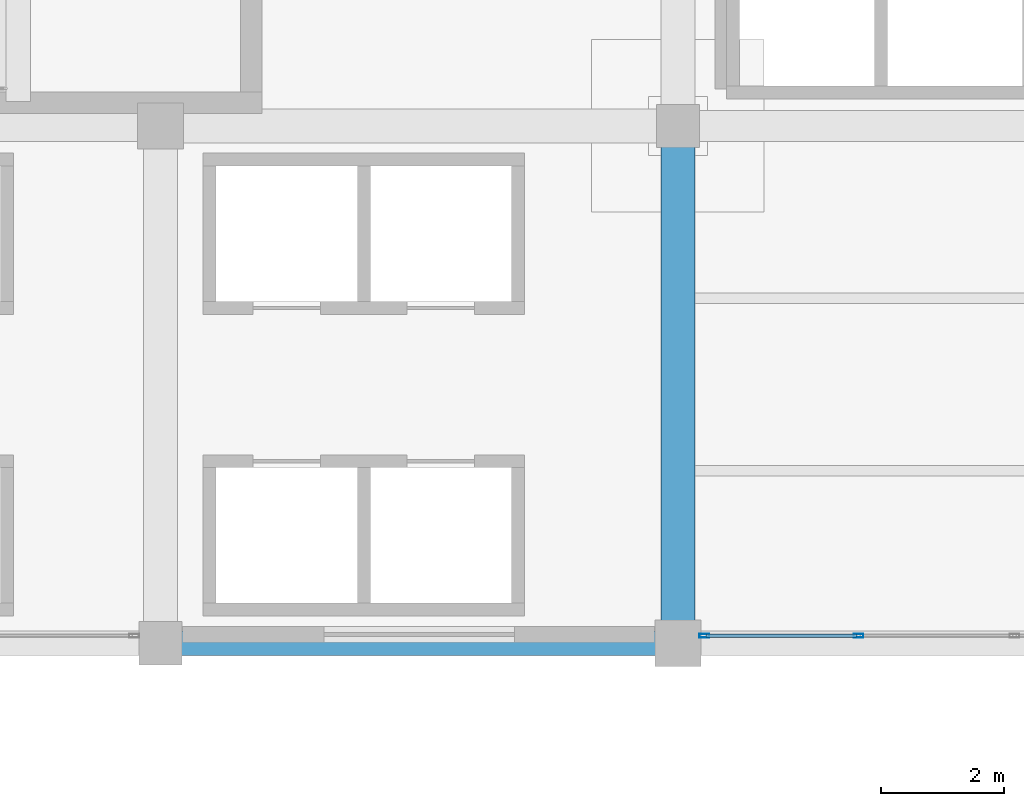
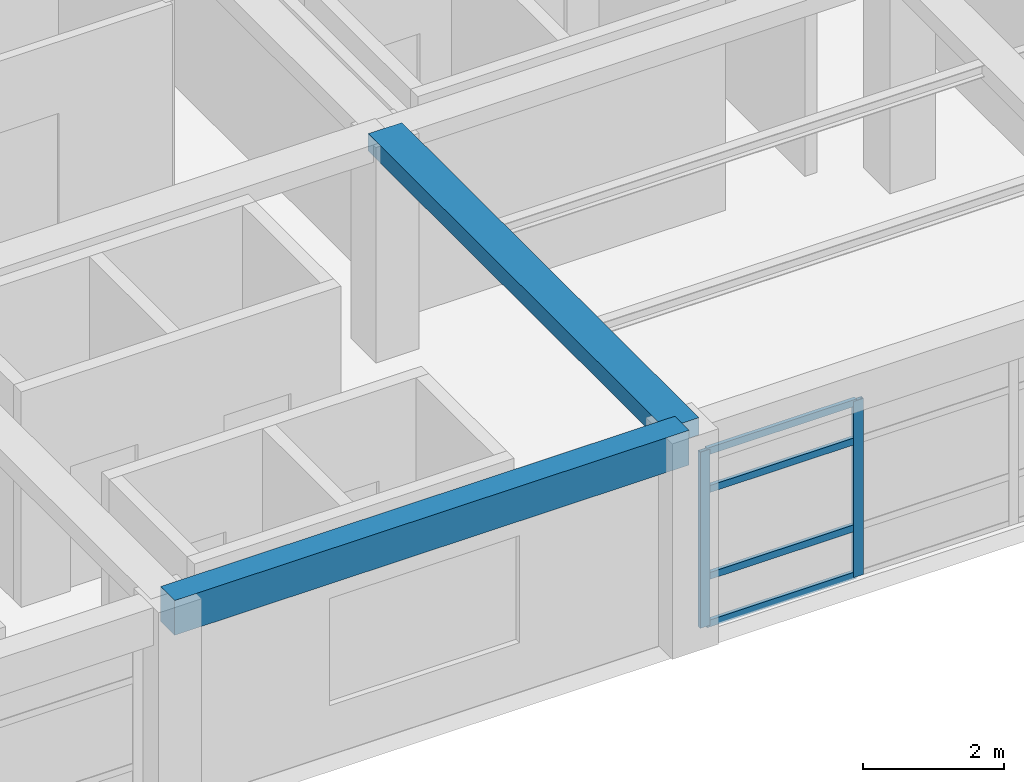
# One storey, part 12 of 35: 6 members, 2 beams, 1 element without a shape of its own.
"""IFC4 building model written with IfcOpenShell, lengths in metres."""

from ifc_helpers import new_model, si_unit, direction, frame, origin, origin_2d, place, context, subcontext, project, spatial, rectangle, hollow_rectangle, extrude, material, material_profile, profile_set, type_object, element, aggregate, save


model = new_model("IFC4")

# Units and contexts
model_context = context("Model", 3, precision=1e-05, world=origin(), true_north=direction((0.0, 1.0)))
body_context = subcontext(model_context, "Body", "Model", "MODEL_VIEW")
ifc_project = project(units=[si_unit("LENGTHUNIT", "METRE"), si_unit("AREAUNIT", "SQUARE_METRE"), si_unit("VOLUMEUNIT", "CUBIC_METRE"), si_unit("PLANEANGLEUNIT", "RADIAN"), si_unit("MASSUNIT", "GRAM", prefix="KILO")], contexts=[model_context])

# Site, building, storey
site_placement = place(None, origin())
site = spatial("IfcSite", under=ifc_project, at=site_placement, CompositionType="ELEMENT")
building_placement = place(site_placement, origin())
building = spatial("IfcBuilding", under=site, at=building_placement, Name="Almacenes y Pasaje Nevantli", CompositionType="ELEMENT")
storey_placement = place(building_placement, frame((0.0, 0.0, 26.699951171875)))
storey = spatial("IfcBuildingStorey", under=building, at=storey_placement, Name="L06", CompositionType="ELEMENT", Elevation=26.699951171875)

# Beams
ifc_material_1 = material(Name="Concrete C35/45", Category="concrete")
ifc_material_profile_1 = material_profile(ifc_material_1, rectangle(XDim=0.39990234375, YDim=0.60009765625, at=origin_2d()), Name="RC-BM-400x600")
ifc_profile_set_1 = profile_set([ifc_material_profile_1], Name="Concrete C35/45")
beam_type_1 = type_object("IfcBeamType", Name="BM-RC-400x600", PredefinedType="SPANDREL", material=ifc_profile_set_1)
beam_1_placement = place(storey_placement, frame((126.0, 67.199951171875, 3.420166015625), z_axis=(1.0, 0.0, 0.0), x_axis=(0.0, 1.0, 0.0)))
element("IfcBeam", 1, at=beam_1_placement, inside=storey, type_object=beam_type_1, Name="L06 East-West Reinforced Concrete Beam #3575", PredefinedType="SPANDREL", context=body_context, shape_type="SweptSolid", body=[
    extrude(rectangle(XDim=0.39990234375, YDim=0.60009765625, at=origin_2d()), origin(), (0.0, 0.0, 1.0), 8.39990234375),
])
ifc_material_2 = material(Name="Concrete C35/45", Category="concrete")
ifc_material_profile_2 = material_profile(ifc_material_2, rectangle(XDim=0.550048828125, YDim=0.300048828125, at=origin_2d()), Name="RC-BM-550x300")
ifc_profile_set_2 = profile_set([ifc_material_profile_2], Name="Concrete C35/45")
beam_type_2 = type_object("IfcBeamType", Name="BM-RC-550x300", PredefinedType="BEAM", material=ifc_profile_set_2)
beam_2_placement = place(storey_placement, frame((134.39990234375, 67.199951171875, 3.570068359375), z_axis=(0.0, 1.0, 0.0), x_axis=(-1.0, 0.0, 0.0)))
element("IfcBeam", 2, at=beam_2_placement, inside=storey, type_object=beam_type_2, Name="L06 North-South Reinforced Concrete Beam #3614", PredefinedType="BEAM", context=body_context, shape_type="SweptSolid", body=[
    extrude(rectangle(XDim=0.550048828125, YDim=0.300048828125, at=origin_2d()), origin(), (0.0, 0.0, 1.0), 8.400146484375),
])

# Curtain wall, members
ifc_material_3 = material(Name="Thermally Broken Aluminium and Low-E Glass", Category="aluminium")
curtain_wall_type = type_object("IfcCurtainWallType", Name="CW-UNIT-TOWER", PredefinedType="USERDEFINED", material=ifc_material_3)
curtain_wall_placement = place(storey_placement, origin())
curtain_wall = element("IfcCurtainWall", 3, at=curtain_wall_placement, inside=storey, type_object=curtain_wall_type, Name="L06 Tower South Unitized Curtain Wall Bay 17", ObjectType="UNITIZED CURTAIN WALL", PredefinedType="USERDEFINED")
ifc_material_4 = material(Name="Thermally Broken Anodized Aluminium", Category="aluminium")
ifc_material_profile_3 = material_profile(ifc_material_4, hollow_rectangle(XDim=0.06005859375, YDim=0.159912109375, WallThickness=0.00390625, at=origin_2d()), Name="ALU-MUL-60x160")
ifc_profile_set_3 = profile_set([ifc_material_profile_3], Name="Thermally Broken Anodized Aluminium")
member_type_1 = type_object("IfcMemberType", Name="CW-MUL-180", PredefinedType="MULLION", material=ifc_profile_set_3)
member_1_placement = place(storey_placement, frame((134.830078125, 67.320068359375, 0.0), z_axis=(0.0, 0.0, 1.0), x_axis=(0.0, 1.0, 0.0)))
member_1 = element("IfcMember", 4, at=member_1_placement, type_object=member_type_1, Name="CW-L06-105 mullion 1", PredefinedType="MULLION", context=body_context, shape_type="SweptSolid", body=[
    extrude(hollow_rectangle(XDim=0.06005859375, YDim=0.159912109375, WallThickness=0.00390625, at=origin_2d()), origin(), (0.0, 0.0, 1.0), 3.0400390625),
])
member_2_placement = place(storey_placement, frame((137.333251953125, 67.320068359375, 0.0), z_axis=(0.0, 0.0, 1.0), x_axis=(0.0, 1.0, 0.0)))
member_2 = element("IfcMember", 5, at=member_2_placement, type_object=member_type_1, Name="CW-L06-105 mullion 2", PredefinedType="MULLION", context=body_context, shape_type="SweptSolid", body=[
    extrude(hollow_rectangle(XDim=0.06005859375, YDim=0.159912109375, WallThickness=0.00390625, at=origin_2d()), origin(), (0.0, 0.0, 1.0), 3.0400390625),
])
ifc_material_5 = material(Name="Thermally Broken Anodized Aluminium", Category="aluminium")
ifc_material_profile_4 = material_profile(ifc_material_5, hollow_rectangle(XDim=0.06005859375, YDim=0.1201171875, WallThickness=0.00341796875, at=origin_2d()), Name="ALU-TRN-60x120")
ifc_profile_set_4 = profile_set([ifc_material_profile_4], Name="Thermally Broken Anodized Aluminium")
member_type_2 = type_object("IfcMemberType", Name="CW-TRN-130", PredefinedType="USERDEFINED", material=ifc_profile_set_4)
member_3_placement = place(storey_placement, frame((134.860107421875, 67.320068359375, 0.030029296875), z_axis=(1.0, 0.0, 0.0), x_axis=(0.0, 1.0, 0.0)))
member_3 = element("IfcMember", 6, at=member_3_placement, type_object=member_type_2, Name="CW-L06-105 transom 1.1", ObjectType="TRANSOM", PredefinedType="USERDEFINED", context=body_context, shape_type="SweptSolid", body=[
    extrude(hollow_rectangle(XDim=0.06005859375, YDim=0.1201171875, WallThickness=0.00341796875, at=origin_2d()), origin(), (0.0, 0.0, 1.0), 2.443115234375),
])
member_4_placement = place(storey_placement, frame((134.860107421875, 67.320068359375, 0.85009765625), z_axis=(1.0, 0.0, 0.0), x_axis=(0.0, 1.0, 0.0)))
member_4 = element("IfcMember", 7, at=member_4_placement, type_object=member_type_2, Name="CW-L06-105 transom 1.2", ObjectType="TRANSOM", PredefinedType="USERDEFINED", context=body_context, shape_type="SweptSolid", body=[
    extrude(hollow_rectangle(XDim=0.06005859375, YDim=0.1201171875, WallThickness=0.00341796875, at=origin_2d()), origin(), (0.0, 0.0, 1.0), 2.443115234375),
])
member_5_placement = place(storey_placement, frame((134.860107421875, 67.320068359375, 2.35009765625), z_axis=(1.0, 0.0, 0.0), x_axis=(0.0, 1.0, 0.0)))
member_5 = element("IfcMember", 8, at=member_5_placement, type_object=member_type_2, Name="CW-L06-105 transom 1.3", ObjectType="TRANSOM", PredefinedType="USERDEFINED", context=body_context, shape_type="SweptSolid", body=[
    extrude(hollow_rectangle(XDim=0.06005859375, YDim=0.1201171875, WallThickness=0.00341796875, at=origin_2d()), origin(), (0.0, 0.0, 1.0), 2.443115234375),
])
member_6_placement = place(storey_placement, frame((134.860107421875, 67.320068359375, 3.010009765625), z_axis=(1.0, 0.0, 0.0), x_axis=(0.0, 1.0, 0.0)))
member_6 = element("IfcMember", 9, at=member_6_placement, type_object=member_type_2, Name="CW-L06-105 transom 1.4", ObjectType="TRANSOM", PredefinedType="USERDEFINED", context=body_context, shape_type="SweptSolid", body=[
    extrude(hollow_rectangle(XDim=0.06005859375, YDim=0.1201171875, WallThickness=0.00341796875, at=origin_2d()), origin(), (0.0, 0.0, 1.0), 2.443115234375),
])
aggregate(curtain_wall, [member_1, member_2, member_3, member_4, member_5, member_6])

save(model, "model.ifc")
